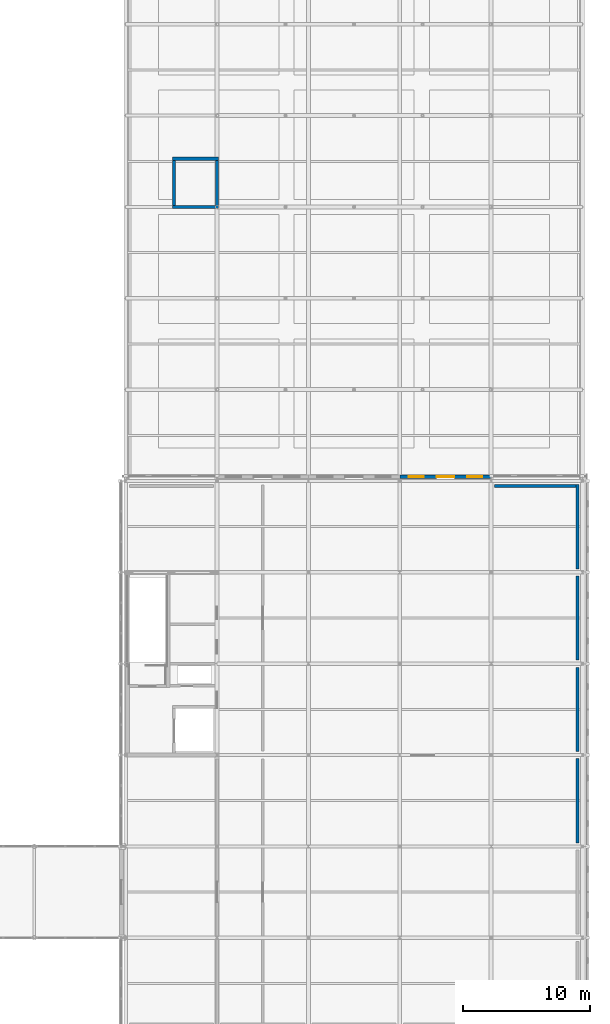
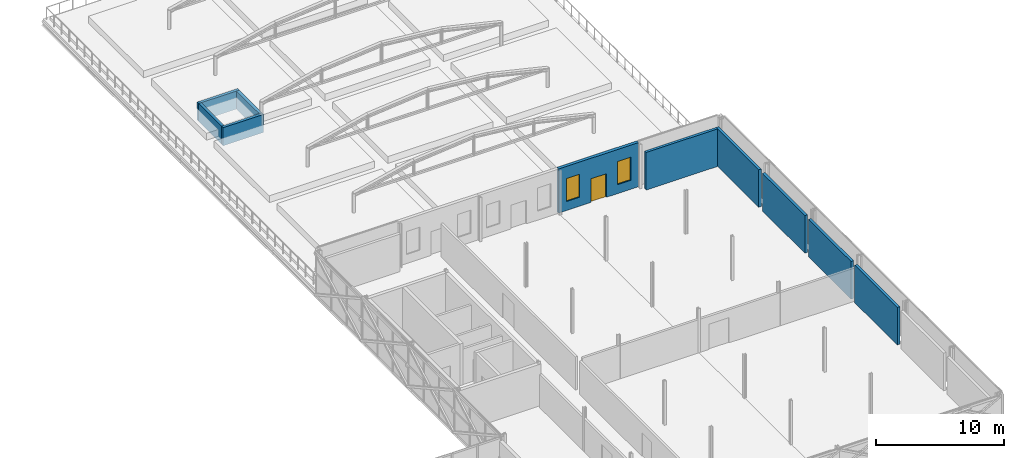
# One storey, part 109 of 126: 10 walls, 2 windows, 1 door, 3 openings.
"""IFC4 building model written with IfcOpenShell, lengths in metres."""

from ifc_helpers import new_model, si_unit, direction, frame, frame_2d, origin, place, context, subcontext, project, spatial, rectangle, extrude, material, layer, layer_set, type_object, element, fill, save


model = new_model("IFC4")

# Units and contexts
model_context = context("Model", 3, precision=1e-05, world=origin(), true_north=direction((0.0, 1.0)))
body_context = subcontext(model_context, "Body", "Model", "MODEL_VIEW")
ifc_project = project(units=[si_unit("LENGTHUNIT", "METRE"), si_unit("AREAUNIT", "SQUARE_METRE"), si_unit("VOLUMEUNIT", "CUBIC_METRE"), si_unit("PLANEANGLEUNIT", "RADIAN"), si_unit("MASSUNIT", "GRAM", prefix="KILO")], contexts=[model_context])

# Site, building, storey
site_placement = place(None, origin())
site = spatial("IfcSite", under=ifc_project, at=site_placement, CompositionType="ELEMENT")
building_placement = place(site_placement, origin())
building = spatial("IfcBuilding", under=site, at=building_placement, Name="Zlatovets Crest Museum", CompositionType="ELEMENT")
storey_placement = place(building_placement, frame((0.0, 0.0, 8.699951171875)))
storey = spatial("IfcBuildingStorey", under=building, at=storey_placement, Name="L02", CompositionType="ELEMENT", Elevation=8.699951171875)

# Walls
ifc_material_1 = material(Name="Concrete C35/45", Category="concrete")
ifc_layer_1 = layer(ifc_material_1, 0.25)
ifc_layer_set_1 = layer_set([ifc_layer_1], Name="Concrete C35/45")
wall_type_1 = type_object("IfcWallType", Name="CoreWall_SW02", PredefinedType="SHEAR", material=ifc_layer_set_1)
wall_1_placement = place(storey_placement, frame((133.27490234375, 79.199951171875, -0.219970703125), z_axis=(0.0, 0.0, 1.0), x_axis=(1.0, 0.0, 0.0)))
element("IfcWall", 1, at=wall_1_placement, inside=storey, type_object=wall_type_1, Name="Lift PL4 Overrun Wall S", PredefinedType="SHEAR", context=body_context, shape_type="SweptSolid", body=[
    extrude(rectangle(XDim=3.650146484375, YDim=0.25, at=frame_2d((1.8251953125, 0.0))), origin(), (0.0, 0.0, 1.0), 1.719970703125),
])
wall_2_placement = place(storey_placement, frame((136.800048828125, 79.324951171875, -0.219970703125), z_axis=(0.0, 0.0, 1.0), x_axis=(0.0, 1.0, 0.0)))
element("IfcWall", 2, at=wall_2_placement, inside=storey, type_object=wall_type_1, Name="Lift PL4 Overrun Wall E", PredefinedType="SHEAR", context=body_context, shape_type="SweptSolid", body=[
    extrude(rectangle(XDim=3.550048828125, YDim=0.25, at=frame_2d((1.77490234375, 0.0))), origin(), (0.0, 0.0, 1.0), 1.719970703125),
])
wall_3_placement = place(storey_placement, frame((136.925048828125, 83.0, -0.219970703125), z_axis=(0.0, 0.0, 1.0), x_axis=(-1.0, 0.0, 0.0)))
element("IfcWall", 3, at=wall_3_placement, inside=storey, type_object=wall_type_1, Name="Lift PL4 Overrun Wall N", PredefinedType="SHEAR", context=body_context, shape_type="SweptSolid", body=[
    extrude(rectangle(XDim=3.650146484375, YDim=0.25, at=frame_2d((1.8251953125, 0.0))), origin(), (0.0, 0.0, 1.0), 1.719970703125),
])
wall_4_placement = place(storey_placement, frame((133.39990234375, 82.875, -0.219970703125), z_axis=(0.0, 0.0, 1.0), x_axis=(0.0, -1.0, 0.0)))
element("IfcWall", 4, at=wall_4_placement, inside=storey, type_object=wall_type_1, Name="Lift PL4 Overrun Wall W", PredefinedType="SHEAR", context=body_context, shape_type="SweptSolid", body=[
    extrude(rectangle(XDim=3.550048828125, YDim=0.25, at=frame_2d((1.77490234375, 0.0))), origin(), (0.0, 0.0, 1.0), 1.719970703125),
])
ifc_material_2 = material(Name="Insulated gallery conservation liner wall", Category="concrete")
ifc_layer_2 = layer(ifc_material_2, 0.300048828125)
ifc_layer_set_2 = layer_set([ifc_layer_2], Name="Insulated gallery conservation liner wall")
wall_type_2 = type_object("IfcWallType", Name="ExtWall_EW-02", PredefinedType="STANDARD", material=ifc_layer_set_2)
for number, where, z_axis, x_axis, name in (
    (5, (165.219970703125, 29.080078125, 0.0), (0.0, 0.0, 1.0), (0.0, 1.0, 0.0), "V5 L02 Interior Conservation Gallery Liner Wall"),
    (6, (165.219970703125, 36.280029296875, 0.0), (0.0, 0.0, 1.0), (0.0, 1.0, 0.0), "V5 L02 Interior Conservation Gallery Liner Wall"),
):
    element("IfcWall", number, at=place(storey_placement, frame(where, z_axis=z_axis, x_axis=x_axis)), inside=storey, type_object=wall_type_2, Name=name, PredefinedType="STANDARD", context=body_context, shape_type="SweptSolid", body=[
        extrude(rectangle(XDim=6.639892578125, YDim=0.239990234375, at=frame_2d((3.31982421875, 0.0))), origin(), (0.0, 0.0, 1.0), 3.580078125),
    ])
for number, where, z_axis, x_axis, name in (
    (7, (165.219970703125, 43.47998046875, 0.0), (0.0, 0.0, 1.0), (0.0, 1.0, 0.0), "V5 L02 Interior Conservation Gallery Liner Wall"),
    (8, (165.219970703125, 50.679931640625, 0.0), (0.0, 0.0, 1.0), (0.0, 1.0, 0.0), "V5 L02 Interior Conservation Gallery Liner Wall"),
    (9, (165.320068359375, 57.219970703125, 0.0), (0.0, 0.0, 1.0), (-1.0, 0.0, 0.0), "V5 L02 Interior Conservation Gallery Liner Wall"),
):
    element("IfcWall", number, at=place(storey_placement, frame(where, z_axis=z_axis, x_axis=x_axis)), inside=storey, type_object=wall_type_2, Name=name, PredefinedType="STANDARD", context=body_context, shape_type="SweptSolid", body=[
        extrude(rectangle(XDim=6.64013671875, YDim=0.239990234375, at=frame_2d((3.320068359375, 0.0))), origin(), (0.0, 0.0, 1.0), 3.580078125),
    ])

# Wall, openings, door, windows
ifc_material_3 = material(Name="Polychrome majolica ceramic spandrel wall", Category="masonry")
ifc_layer_3 = layer(ifc_material_3, 0.280029296875)
ifc_layer_set_3 = layer_set([ifc_layer_3], Name="Polychrome majolica ceramic spandrel wall")
wall_type_3 = type_object("IfcWallType", Name="ExtWall_EW-03", PredefinedType="STANDARD", material=ifc_layer_set_3)
wall_5_placement = place(storey_placement, frame((158.39990234375, 57.93994140625, 0.0), z_axis=(0.0, 0.0, 1.0), x_axis=(-1.0, 0.0, 0.0)))
wall_5 = element("IfcWall", 10, at=wall_5_placement, inside=storey, type_object=wall_type_3, Name="V5 L02 Terrace Access Wall", PredefinedType="STANDARD", context=body_context, shape_type="SweptSolid", body=[
    extrude(rectangle(XDim=7.199951171875, YDim=0.280029296875, at=frame_2d((3.60009765625, 0.0))), origin(), (0.0, 0.0, 1.0), 4.199951171875),
])
opening_1_placement = place(wall_5_placement, frame((2.89990234375, 0.0, 0.0)))
opening_1 = element("IfcOpeningElement", 11, at=opening_1_placement, cuts=wall_5, Name="Opening TD-01", PredefinedType="OPENING", context=body_context, shape_type="SweptSolid", body=[
    extrude(rectangle(XDim=1.39990234375, YDim=2.25, at=frame_2d((0.699951171875, 1.125))), frame((0.0, 0.14990234375, 0.0), z_axis=(0.0, -1.0, 0.0), x_axis=(1.0, 0.0, 0.0)), (0.0, 0.0, 1.0), 0.300048828125),
])
opening_2_placement = place(wall_5_placement, frame((0.699951171875, 0.0, 0.85009765625)))
opening_2 = element("IfcOpeningElement", 12, at=opening_2_placement, cuts=wall_5, Name="Opening WN-01", PredefinedType="OPENING", context=body_context, shape_type="SweptSolid", body=[
    extrude(rectangle(XDim=1.199951171875, YDim=2.199951171875, at=frame_2d((0.60009765625, 1.10009765625))), frame((0.0, 0.14990234375, 0.0), z_axis=(0.0, -1.0, 0.0), x_axis=(1.0, 0.0, 0.0)), (0.0, 0.0, 1.0), 0.300048828125),
])
opening_3_placement = place(wall_5_placement, frame((5.300048828125, 0.0, 0.85009765625)))
opening_3 = element("IfcOpeningElement", 13, at=opening_3_placement, cuts=wall_5, Name="Opening WN-01", PredefinedType="OPENING", context=body_context, shape_type="SweptSolid", body=[
    extrude(rectangle(XDim=1.199951171875, YDim=2.199951171875, at=frame_2d((0.60009765625, 1.10009765625))), frame((0.0, 0.14990234375, 0.0), z_axis=(0.0, -1.0, 0.0), x_axis=(1.0, 0.0, 0.0)), (0.0, 0.0, 1.0), 0.300048828125),
])
ifc_material_4 = material(Name="Bronze-clad insulated steel door", Category="steel")
door_type = type_object("IfcDoorType", Name="ExtDoor_TD-01", OperationType="NOTDEFINED", PredefinedType="DOOR", material=ifc_material_4)
door_placement = place(opening_1_placement, origin())
door = element("IfcDoor", 14, at=door_placement, inside=storey, type_object=door_type, Name="TD-V5-L02-048 V5 L02 Roof Terrace Door", OperationType="SINGLE_SWING_LEFT", OverallHeight=2.25, OverallWidth=1.39990234375, PredefinedType="DOOR", context=body_context, shape_type="SweptSolid", body=[
    extrude(rectangle(XDim=1.39990234375, YDim=2.25, at=frame_2d((0.699951171875, 1.125))), frame((0.0, 0.02490234375, 0.0), z_axis=(0.0, -1.0, 0.0), x_axis=(1.0, 0.0, 0.0)), (0.0, 0.0, 1.0), 0.050048828125),
])
fill(opening_1, door)
ifc_material_5 = material(Name="Bronze-anodised aluminium frame with low-E triple glass", Category="aluminium")
window_type = type_object("IfcWindowType", Name="Win_WN-01", PartitioningType="SINGLE_PANEL", PredefinedType="WINDOW", material=ifc_material_5)
window_1_placement = place(opening_2_placement, origin())
window_1 = element("IfcWindow", 15, at=window_1_placement, inside=storey, type_object=window_type, Name="V5 L02 Terrace Glazed Sidelight", OverallHeight=2.199951171875, OverallWidth=1.199951171875, PartitioningType="SINGLE_PANEL", PredefinedType="WINDOW", context=body_context, shape_type="SweptSolid", body=[
    extrude(rectangle(XDim=1.199951171875, YDim=2.199951171875, at=frame_2d((0.60009765625, 1.10009765625))), frame((0.0, 0.030029296875, 0.0), z_axis=(0.0, -1.0, 0.0), x_axis=(1.0, 0.0, 0.0)), (0.0, 0.0, 1.0), 0.06005859375),
])
fill(opening_2, window_1)
window_2_placement = place(opening_3_placement, origin())
window_2 = element("IfcWindow", 16, at=window_2_placement, inside=storey, type_object=window_type, Name="V5 L02 Terrace Glazed Sidelight", OverallHeight=2.199951171875, OverallWidth=1.199951171875, PartitioningType="SINGLE_PANEL", PredefinedType="WINDOW", context=body_context, shape_type="SweptSolid", body=[
    extrude(rectangle(XDim=1.199951171875, YDim=2.199951171875, at=frame_2d((0.60009765625, 1.10009765625))), frame((0.0, 0.030029296875, 0.0), z_axis=(0.0, -1.0, 0.0), x_axis=(1.0, 0.0, 0.0)), (0.0, 0.0, 1.0), 0.06005859375),
])
fill(opening_3, window_2)

save(model, "model.ifc")
